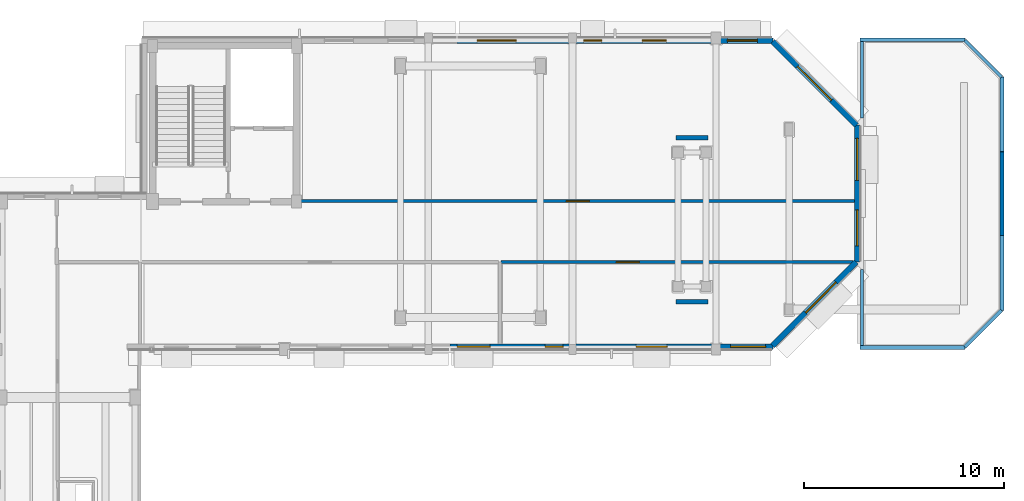
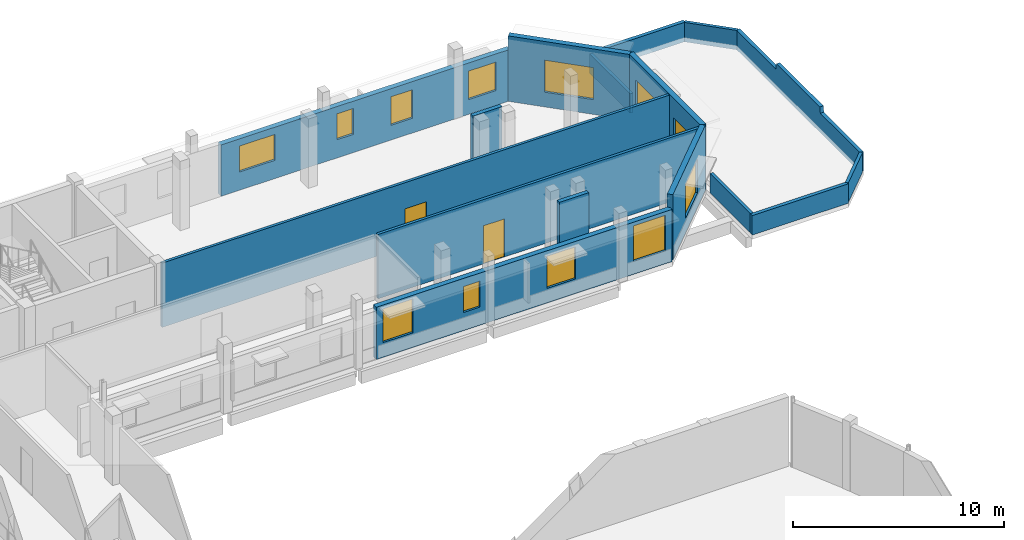
# One storey, part 87 of 105: 16 walls, 12 windows, 2 doors, 14 openings.
"""IFC4 building model written with IfcOpenShell, lengths in metres."""

from ifc_helpers import new_model, si_unit, direction, frame, frame_2d, origin, place, context, subcontext, project, spatial, polyline, rectangle, outline, extrude, material, layer, layer_set, type_object, element, fill, save


model = new_model("IFC4")

# Units and contexts
model_context = context("Model", 3, precision=1e-05, world=origin(), true_north=direction((0.0, 1.0)))
body_context = subcontext(model_context, "Body", "Model", "MODEL_VIEW")
ifc_project = project(units=[si_unit("LENGTHUNIT", "METRE"), si_unit("AREAUNIT", "SQUARE_METRE"), si_unit("VOLUMEUNIT", "CUBIC_METRE"), si_unit("PLANEANGLEUNIT", "RADIAN"), si_unit("MASSUNIT", "GRAM", prefix="KILO")], contexts=[model_context])

# Site, building, storey
site_placement = place(None, origin())
site = spatial("IfcSite", under=ifc_project, at=site_placement, CompositionType="ELEMENT")
building_placement = place(site_placement, origin())
building = spatial("IfcBuilding", under=site, at=building_placement, Name="Kelanivale Promenade Academy", CompositionType="ELEMENT")
storey_placement = place(building_placement, frame((0.0, 0.0, 4.199951171875)))
storey = spatial("IfcBuildingStorey", under=building, at=storey_placement, Name="L01", CompositionType="ELEMENT", Elevation=4.199951171875)

# Walls
ifc_material_1 = material(Name="Concrete C40/50", Category="concrete")
ifc_layer_1 = layer(ifc_material_1, 0.22509765625)
ifc_layer_set_1 = layer_set([ifc_layer_1], Name="Concrete C40/50")
wall_type_1 = type_object("IfcWallType", Name="CW-S2 Wall 225mm", PredefinedType="SHEAR", material=ifc_layer_set_1)
for number, where, z_axis, x_axis, name in (
    (1, (149.60009765625, 98.800048828125, 0.0), (0.0, 0.0, 1.0), (1.0, 0.0, 0.0), "Library stair ST-07 structural support wall L01"),
    (2, (149.60009765625, 107.0, 0.0), (0.0, 0.0, 1.0), (1.0, 0.0, 0.0), "Library stair ST-08 structural support wall L01"),
):
    element("IfcWall", number, at=place(storey_placement, frame(where, z_axis=z_axis, x_axis=x_axis)), inside=storey, type_object=wall_type_1, Name=name, PredefinedType="SHEAR", context=body_context, shape_type="SweptSolid", body=[
        extrude(rectangle(XDim=1.599853515625, YDim=0.22509765625, at=frame_2d((0.7998046875, 0.0))), origin(), (0.0, 0.0, 1.0), 3.719970703125),
    ])

# Wall, openings, windows
ifc_material_2 = material(Name="Insulated ivory stucco masonry wall 280 mm", Category="masonry")
ifc_layer_2 = layer(ifc_material_2, 0.280029296875)
ifc_layer_set_2 = layer_set([ifc_layer_2], Name="Insulated ivory stucco masonry wall 280 mm")
wall_type_2 = type_object("IfcWallType", Name="EW-02 Wall 280mm", PredefinedType="SOLIDWALL", material=ifc_layer_set_2)
wall_1_placement = place(storey_placement, frame((138.27587890625, 96.5400390625, 0.0), z_axis=(0.0, 0.0, 1.0), x_axis=(1.0, 0.0, 0.0)))
wall_1 = element("IfcWall", 3, at=wall_1_placement, inside=storey, type_object=wall_type_2, Name="L01 exterior facade wall EW-L01-ORT-0370", PredefinedType="SOLIDWALL", context=body_context, shape_type="SweptSolid", body=[
    extrude(rectangle(XDim=16.155029296875, YDim=0.280029296875, at=frame_2d((8.07763671875, 0.0))), origin(), (0.0, 0.0, 1.0), 3.01513671875),
])
opening_1_placement = place(wall_1_placement, frame((0.360107421875, 0.0, 0.85009765625)))
opening_1 = element("IfcOpeningElement", 4, at=opening_1_placement, cuts=wall_1, Name="Opening WT-16", PredefinedType="OPENING", context=body_context, shape_type="SweptSolid", body=[
    extrude(rectangle(XDim=1.64990234375, YDim=1.949951171875, at=frame_2d((0.824951171875, 0.97509765625))), frame((0.0, 0.14990234375, 0.0), z_axis=(0.0, -1.0, 0.0), x_axis=(1.0, 0.0, 0.0)), (0.0, 0.0, 1.0), 0.300048828125),
])
opening_2_placement = place(wall_1_placement, frame((4.758056640625, 0.0, 1.050048828125)))
opening_2 = element("IfcOpeningElement", 5, at=opening_2_placement, cuts=wall_1, Name="Opening WT-06", PredefinedType="OPENING", context=body_context, shape_type="SweptSolid", body=[
    extrude(rectangle(XDim=0.89990234375, YDim=1.5, at=frame_2d((0.449951171875, 0.75))), frame((0.0, 0.14990234375, 0.0), z_axis=(0.0, -1.0, 0.0), x_axis=(1.0, 0.0, 0.0)), (0.0, 0.0, 1.0), 0.300048828125),
])
opening_3_placement = place(wall_1_placement, frame((9.322021484375, 0.0, 0.85009765625)))
opening_3 = element("IfcOpeningElement", 6, at=opening_3_placement, cuts=wall_1, Name="Opening WT-31", PredefinedType="OPENING", context=body_context, shape_type="SweptSolid", body=[
    extrude(rectangle(XDim=1.550048828125, YDim=1.85009765625, at=frame_2d((0.77490234375, 0.925048828125))), frame((0.0, 0.14990234375, 0.0), z_axis=(0.0, -1.0, 0.0), x_axis=(1.0, 0.0, 0.0)), (0.0, 0.0, 1.0), 0.300048828125),
])
opening_4_placement = place(wall_1_placement, frame((14.044921875, 0.0, 0.75)))
opening_4 = element("IfcOpeningElement", 7, at=opening_4_placement, cuts=wall_1, Name="Opening WT-32", PredefinedType="OPENING", context=body_context, shape_type="SweptSolid", body=[
    extrude(rectangle(XDim=1.75, YDim=2.050048828125, at=frame_2d((0.875, 1.02490234375))), frame((0.0, 0.14990234375, 0.0), z_axis=(0.0, -1.0, 0.0), x_axis=(1.0, 0.0, 0.0)), (0.0, 0.0, 1.0), 0.300048828125),
])
ifc_material_3 = material(Name="Bronze anodised aluminium frame with low-E laminated glass", Category="aluminium")
window_type_1 = type_object("IfcWindowType", Name="WT-06 Window 900x1500", PartitioningType="SINGLE_PANEL", PredefinedType="WINDOW", material=ifc_material_3)
window_1_placement = place(opening_2_placement, origin())
window_1 = element("IfcWindow", 8, at=window_1_placement, inside=storey, type_object=window_type_1, Name="Window WT-06", OverallHeight=1.5, OverallWidth=0.89990234375, PartitioningType="SINGLE_PANEL", PredefinedType="WINDOW", context=body_context, shape_type="SweptSolid", body=[
    extrude(rectangle(XDim=0.89990234375, YDim=1.5, at=frame_2d((0.449951171875, 0.75))), frame((0.0, 0.030029296875, 0.0), z_axis=(0.0, -1.0, 0.0), x_axis=(1.0, 0.0, 0.0)), (0.0, 0.0, 1.0), 0.06005859375),
])
fill(opening_2, window_1)
window_type_2 = type_object("IfcWindowType", Name="WT-16 Window 1650x1950", PartitioningType="SINGLE_PANEL", PredefinedType="WINDOW", material=ifc_material_3)
window_2_placement = place(opening_1_placement, origin())
window_2 = element("IfcWindow", 9, at=window_2_placement, inside=storey, type_object=window_type_2, Name="Window WT-16", OverallHeight=1.949951171875, OverallWidth=1.64990234375, PartitioningType="SINGLE_PANEL", PredefinedType="WINDOW", context=body_context, shape_type="SweptSolid", body=[
    extrude(rectangle(XDim=1.64990234375, YDim=1.949951171875, at=frame_2d((0.824951171875, 0.97509765625))), frame((0.0, 0.030029296875, 0.0), z_axis=(0.0, -1.0, 0.0), x_axis=(1.0, 0.0, 0.0)), (0.0, 0.0, 1.0), 0.06005859375),
])
fill(opening_1, window_2)
window_type_3 = type_object("IfcWindowType", Name="WT-31 Window 1550x1850", PartitioningType="SINGLE_PANEL", PredefinedType="WINDOW", material=ifc_material_3)
window_3_placement = place(opening_3_placement, origin())
window_3 = element("IfcWindow", 10, at=window_3_placement, inside=storey, type_object=window_type_3, Name="Window WT-31", OverallHeight=1.85009765625, OverallWidth=1.550048828125, PartitioningType="SINGLE_PANEL", PredefinedType="WINDOW", context=body_context, shape_type="SweptSolid", body=[
    extrude(rectangle(XDim=1.550048828125, YDim=1.85009765625, at=frame_2d((0.77490234375, 0.925048828125))), frame((0.0, 0.030029296875, 0.0), z_axis=(0.0, -1.0, 0.0), x_axis=(1.0, 0.0, 0.0)), (0.0, 0.0, 1.0), 0.06005859375),
])
fill(opening_3, window_3)
window_type_4 = type_object("IfcWindowType", Name="WT-32 Window 1750x2050", PartitioningType="SINGLE_PANEL", PredefinedType="WINDOW", material=ifc_material_3)
window_4_placement = place(opening_4_placement, origin())
window_4 = element("IfcWindow", 11, at=window_4_placement, inside=storey, type_object=window_type_4, Name="Window WT-32", OverallHeight=2.050048828125, OverallWidth=1.75, PartitioningType="SINGLE_PANEL", PredefinedType="WINDOW", context=body_context, shape_type="SweptSolid", body=[
    extrude(rectangle(XDim=1.75, YDim=2.050048828125, at=frame_2d((0.875, 1.02490234375))), frame((0.0, 0.030029296875, 0.0), z_axis=(0.0, -1.0, 0.0), x_axis=(1.0, 0.0, 0.0)), (0.0, 0.0, 1.0), 0.06005859375),
])
fill(opening_4, window_4)

# Wall, opening, window
wall_2_placement = place(storey_placement, frame((154.4189453125, 96.583984375, 0.0), z_axis=(0.0, 0.0, 1.0), x_axis=(0.707106781187, 0.707106781187, 0.0)))
wall_2 = element("IfcWall", 12, at=wall_2_placement, inside=storey, type_object=wall_type_2, Name="L01 exterior facade wall EW-L01-ORT-0371", PredefinedType="SOLIDWALL", context=body_context, shape_type="SweptSolid", body=[
    extrude(rectangle(XDim=5.935546875, YDim=0.280029296875, at=frame_2d((2.9677734375, 0.0))), origin(), (0.0, 0.0, 1.0), 3.780029296875),
])
opening_5_placement = place(wall_2_placement, frame((2.343017578125, 0.0, 0.85009765625)))
opening_5 = element("IfcOpeningElement", 13, at=opening_5_placement, cuts=wall_2, Name="Opening WT-33", PredefinedType="OPENING", context=body_context, shape_type="SweptSolid", body=[
    extrude(rectangle(XDim=2.14990234375, YDim=1.949951171875, at=frame_2d((1.074951171875, 0.97509765625))), frame((0.0, 0.14990234375, 0.0), z_axis=(0.0, -1.0, 0.0), x_axis=(1.0, 0.0, 0.0)), (0.0, 0.0, 1.0), 0.300048828125),
])
window_type_5 = type_object("IfcWindowType", Name="WT-33 Window 2150x1950", PartitioningType="SINGLE_PANEL", PredefinedType="WINDOW", material=ifc_material_3)
window_5_placement = place(opening_5_placement, origin())
window_5 = element("IfcWindow", 14, at=window_5_placement, inside=storey, type_object=window_type_5, Name="Window WT-33", OverallHeight=1.949951171875, OverallWidth=2.14990234375, PartitioningType="SINGLE_PANEL", PredefinedType="WINDOW", context=body_context, shape_type="SweptSolid", body=[
    extrude(rectangle(XDim=2.14990234375, YDim=1.949951171875, at=frame_2d((1.074951171875, 0.97509765625))), frame((0.0, 0.030029296875, 0.0), z_axis=(0.0, -1.0, 0.0), x_axis=(1.0, 0.0, 0.0)), (0.0, 0.0, 1.0), 0.06005859375),
])
fill(opening_5, window_5)

# Wall, openings, windows
wall_3_placement = place(storey_placement, frame((158.659912109375, 100.76904296875, 0.0), z_axis=(0.0, 0.0, 1.0), x_axis=(0.0, 1.0, 0.0)))
wall_3 = element("IfcWall", 15, at=wall_3_placement, inside=storey, type_object=wall_type_2, Name="L01 exterior facade wall EW-L01-ORT-0372", PredefinedType="SOLIDWALL", context=body_context, shape_type="SweptSolid", body=[
    extrude(rectangle(XDim=6.862060546875, YDim=0.280029296875, at=frame_2d((3.43115234375, 0.0))), origin(), (0.0, 0.0, 1.0), 3.780029296875),
])
opening_6_placement = place(wall_3_placement, frame((0.81494140625, 0.0, 0.85009765625)))
opening_6 = element("IfcOpeningElement", 16, at=opening_6_placement, cuts=wall_3, Name="Opening WT-01", PredefinedType="OPENING", context=body_context, shape_type="SweptSolid", body=[
    extrude(rectangle(XDim=1.800048828125, YDim=1.800048828125, at=frame_2d((0.89990234375, 0.89990234375))), frame((0.0, 0.14990234375, 0.0), z_axis=(0.0, -1.0, 0.0), x_axis=(1.0, 0.0, 0.0)), (0.0, 0.0, 1.0), 0.300048828125),
])
opening_7_placement = place(wall_3_placement, frame((4.095947265625, 0.0, 0.85009765625)))
opening_7 = element("IfcOpeningElement", 17, at=opening_7_placement, cuts=wall_3, Name="Opening WT-02", PredefinedType="OPENING", context=body_context, shape_type="SweptSolid", body=[
    extrude(rectangle(XDim=2.10009765625, YDim=1.800048828125, at=frame_2d((1.050048828125, 0.89990234375))), frame((0.0, 0.14990234375, 0.0), z_axis=(0.0, -1.0, 0.0), x_axis=(1.0, 0.0, 0.0)), (0.0, 0.0, 1.0), 0.300048828125),
])
window_type_6 = type_object("IfcWindowType", Name="WT-01 Window 1800x1800", PartitioningType="SINGLE_PANEL", PredefinedType="WINDOW", material=ifc_material_3)
window_6_placement = place(opening_6_placement, origin())
window_6 = element("IfcWindow", 18, at=window_6_placement, inside=storey, type_object=window_type_6, Name="Window WT-01", OverallHeight=1.800048828125, OverallWidth=1.800048828125, PartitioningType="SINGLE_PANEL", PredefinedType="WINDOW", context=body_context, shape_type="SweptSolid", body=[
    extrude(rectangle(XDim=1.800048828125, YDim=1.800048828125, at=frame_2d((0.89990234375, 0.89990234375))), frame((0.0, 0.030029296875, 0.0), z_axis=(0.0, -1.0, 0.0), x_axis=(1.0, 0.0, 0.0)), (0.0, 0.0, 1.0), 0.06005859375),
])
fill(opening_6, window_6)
window_type_7 = type_object("IfcWindowType", Name="WT-02 Window 2100x1800", PartitioningType="SINGLE_PANEL", PredefinedType="WINDOW", material=ifc_material_3)
window_7_placement = place(opening_7_placement, origin())
window_7 = element("IfcWindow", 19, at=window_7_placement, inside=storey, type_object=window_type_7, Name="Window WT-02", OverallHeight=1.800048828125, OverallWidth=2.10009765625, PartitioningType="SINGLE_PANEL", PredefinedType="WINDOW", context=body_context, shape_type="SweptSolid", body=[
    extrude(rectangle(XDim=2.10009765625, YDim=1.800048828125, at=frame_2d((1.050048828125, 0.89990234375))), frame((0.0, 0.030029296875, 0.0), z_axis=(0.0, -1.0, 0.0), x_axis=(1.0, 0.0, 0.0)), (0.0, 0.0, 1.0), 0.06005859375),
])
fill(opening_7, window_7)

# Wall, opening, window
wall_4_placement = place(storey_placement, frame((158.615966796875, 107.618896484375, 0.0), z_axis=(0.0, 0.0, 1.0), x_axis=(-0.707106781187, 0.707106781187, 0.0)))
wall_4 = element("IfcWall", 20, at=wall_4_placement, inside=storey, type_object=wall_type_2, Name="L01 exterior facade wall EW-L01-ORT-0373", PredefinedType="SOLIDWALL", context=body_context, shape_type="SweptSolid", body=[
    extrude(rectangle(XDim=5.935546875, YDim=0.280029296875, at=frame_2d((2.9677734375, 0.0))), origin(), (0.0, 0.0, 1.0), 3.780029296875),
])
opening_8_placement = place(wall_4_placement, frame((1.76806640625, 0.0, 0.85009765625)))
opening_8 = element("IfcOpeningElement", 21, at=opening_8_placement, cuts=wall_4, Name="Opening WT-03", PredefinedType="OPENING", context=body_context, shape_type="SweptSolid", body=[
    extrude(rectangle(XDim=2.39990234375, YDim=1.85009765625, at=frame_2d((1.199951171875, 0.925048828125))), frame((0.0, 0.14990234375, 0.0), z_axis=(0.0, -1.0, 0.0), x_axis=(1.0, 0.0, 0.0)), (0.0, 0.0, 1.0), 0.300048828125),
])
window_type_8 = type_object("IfcWindowType", Name="WT-03 Window 2400x1850", PartitioningType="SINGLE_PANEL", PredefinedType="WINDOW", material=ifc_material_3)
window_8_placement = place(opening_8_placement, origin())
window_8 = element("IfcWindow", 22, at=window_8_placement, inside=storey, type_object=window_type_8, Name="Window WT-03", OverallHeight=1.85009765625, OverallWidth=2.39990234375, PartitioningType="SINGLE_PANEL", PredefinedType="WINDOW", context=body_context, shape_type="SweptSolid", body=[
    extrude(rectangle(XDim=2.39990234375, YDim=1.85009765625, at=frame_2d((1.199951171875, 0.925048828125))), frame((0.0, 0.030029296875, 0.0), z_axis=(0.0, -1.0, 0.0), x_axis=(1.0, 0.0, 0.0)), (0.0, 0.0, 1.0), 0.06005859375),
])
fill(opening_8, window_8)

# Wall, openings, windows
wall_5_placement = place(storey_placement, frame((154.430908203125, 111.860107421875, 0.0), z_axis=(0.0, 0.0, 1.0), x_axis=(-1.0, 0.0, 0.0)))
wall_5 = element("IfcWall", 23, at=wall_5_placement, inside=storey, type_object=wall_type_2, Name="L01 exterior facade wall EW-L01-ORT-0374", PredefinedType="SOLIDWALL", context=body_context, shape_type="SweptSolid", body=[
    extrude(rectangle(XDim=15.789794921875, YDim=0.280029296875, at=frame_2d((7.89501953125, 0.0))), origin(), (0.0, 0.0, 1.0), 2.965087890625),
])
opening_9_placement = place(wall_5_placement, frame((0.77392578125, 0.0, 0.85009765625)))
opening_9 = element("IfcOpeningElement", 24, at=opening_9_placement, cuts=wall_5, Name="Opening WT-04", PredefinedType="OPENING", context=body_context, shape_type="SweptSolid", body=[
    extrude(rectangle(XDim=1.5, YDim=1.64990234375, at=frame_2d((0.75, 0.824951171875))), frame((0.0, 0.14990234375, 0.0), z_axis=(0.0, -1.0, 0.0), x_axis=(1.0, 0.0, 0.0)), (0.0, 0.0, 1.0), 0.300048828125),
])
opening_10_placement = place(wall_5_placement, frame((5.321044921875, 0.0, 0.85009765625)))
opening_10 = element("IfcOpeningElement", 25, at=opening_10_placement, cuts=wall_5, Name="Opening WT-05", PredefinedType="OPENING", context=body_context, shape_type="SweptSolid", body=[
    extrude(rectangle(XDim=1.199951171875, YDim=1.64990234375, at=frame_2d((0.60009765625, 0.824951171875))), frame((0.0, 0.14990234375, 0.0), z_axis=(0.0, -1.0, 0.0), x_axis=(1.0, 0.0, 0.0)), (0.0, 0.0, 1.0), 0.300048828125),
])
opening_11_placement = place(wall_5_placement, frame((8.569091796875, 0.0, 1.050048828125)))
opening_11 = element("IfcOpeningElement", 26, at=opening_11_placement, cuts=wall_5, Name="Opening WT-06", PredefinedType="OPENING", context=body_context, shape_type="SweptSolid", body=[
    extrude(rectangle(XDim=0.89990234375, YDim=1.5, at=frame_2d((0.449951171875, 0.75))), frame((0.0, 0.14990234375, 0.0), z_axis=(0.0, -1.0, 0.0), x_axis=(1.0, 0.0, 0.0)), (0.0, 0.0, 1.0), 0.300048828125),
])
opening_12_placement = place(wall_5_placement, frame((12.841064453125, 0.0, 1.050048828125)))
opening_12 = element("IfcOpeningElement", 27, at=opening_12_placement, cuts=wall_5, Name="Opening WT-22", PredefinedType="OPENING", context=body_context, shape_type="SweptSolid", body=[
    extrude(rectangle(XDim=1.949951171875, YDim=1.5, at=frame_2d((0.97509765625, 0.75))), frame((0.0, 0.14990234375, 0.0), z_axis=(0.0, -1.0, 0.0), x_axis=(1.0, 0.0, 0.0)), (0.0, 0.0, 1.0), 0.300048828125),
])
window_type_9 = type_object("IfcWindowType", Name="WT-04 Window 1500x1650", PartitioningType="SINGLE_PANEL", PredefinedType="WINDOW", material=ifc_material_3)
window_9_placement = place(opening_9_placement, origin())
window_9 = element("IfcWindow", 28, at=window_9_placement, inside=storey, type_object=window_type_9, Name="Window WT-04", OverallHeight=1.64990234375, OverallWidth=1.5, PartitioningType="SINGLE_PANEL", PredefinedType="WINDOW", context=body_context, shape_type="SweptSolid", body=[
    extrude(rectangle(XDim=1.5, YDim=1.64990234375, at=frame_2d((0.75, 0.824951171875))), frame((0.0, 0.030029296875, 0.0), z_axis=(0.0, -1.0, 0.0), x_axis=(1.0, 0.0, 0.0)), (0.0, 0.0, 1.0), 0.06005859375),
])
fill(opening_9, window_9)
window_type_10 = type_object("IfcWindowType", Name="WT-05 Window 1200x1650", PartitioningType="SINGLE_PANEL", PredefinedType="WINDOW", material=ifc_material_3)
window_10_placement = place(opening_10_placement, origin())
window_10 = element("IfcWindow", 29, at=window_10_placement, inside=storey, type_object=window_type_10, Name="Window WT-05", OverallHeight=1.64990234375, OverallWidth=1.199951171875, PartitioningType="SINGLE_PANEL", PredefinedType="WINDOW", context=body_context, shape_type="SweptSolid", body=[
    extrude(rectangle(XDim=1.199951171875, YDim=1.64990234375, at=frame_2d((0.60009765625, 0.824951171875))), frame((0.0, 0.030029296875, 0.0), z_axis=(0.0, -1.0, 0.0), x_axis=(1.0, 0.0, 0.0)), (0.0, 0.0, 1.0), 0.06005859375),
])
fill(opening_10, window_10)
window_11_placement = place(opening_11_placement, origin())
window_11 = element("IfcWindow", 30, at=window_11_placement, inside=storey, type_object=window_type_1, Name="Window WT-06", OverallHeight=1.5, OverallWidth=0.89990234375, PartitioningType="SINGLE_PANEL", PredefinedType="WINDOW", context=body_context, shape_type="SweptSolid", body=[
    extrude(rectangle(XDim=0.89990234375, YDim=1.5, at=frame_2d((0.449951171875, 0.75))), frame((0.0, 0.030029296875, 0.0), z_axis=(0.0, -1.0, 0.0), x_axis=(1.0, 0.0, 0.0)), (0.0, 0.0, 1.0), 0.06005859375),
])
fill(opening_11, window_11)
window_type_11 = type_object("IfcWindowType", Name="WT-22 Window 1950x1500", PartitioningType="SINGLE_PANEL", PredefinedType="WINDOW", material=ifc_material_3)
window_12_placement = place(opening_12_placement, origin())
window_12 = element("IfcWindow", 31, at=window_12_placement, inside=storey, type_object=window_type_11, Name="Window WT-22", OverallHeight=1.5, OverallWidth=1.949951171875, PartitioningType="SINGLE_PANEL", PredefinedType="WINDOW", context=body_context, shape_type="SweptSolid", body=[
    extrude(rectangle(XDim=1.949951171875, YDim=1.5, at=frame_2d((0.97509765625, 0.75))), frame((0.0, 0.030029296875, 0.0), z_axis=(0.0, -1.0, 0.0), x_axis=(1.0, 0.0, 0.0)), (0.0, 0.0, 1.0), 0.06005859375),
])
fill(opening_12, window_12)

# Wall, opening, door
ifc_material_4 = material(Name="Acoustic gypsum-lined masonry partition 150 mm", Category="masonry")
ifc_layer_3 = layer(ifc_material_4, 0.14990234375)
ifc_layer_set_3 = layer_set([ifc_layer_3], Name="Acoustic gypsum-lined masonry partition 150 mm")
wall_type_3 = type_object("IfcWallType", Name="IW-03 Wall 150mm", PredefinedType="PARTITIONING", material=ifc_layer_set_3)
wall_6_placement = place(storey_placement, frame((158.4560546875, 100.77001953125, 0.0), z_axis=(0.0, 0.0, 1.0), x_axis=(-1.0, 0.0, 0.0)))
wall_6 = element("IfcWall", 32, at=wall_6_placement, inside=storey, type_object=wall_type_3, Name="L01 partition Chemistry Laboratory 2", PredefinedType="PARTITIONING", context=body_context, shape_type="SweptSolid", body=[
    extrude(rectangle(XDim=17.613037109375, YDim=0.14990234375, at=frame_2d((8.806640625, 0.0))), origin(), (0.0, 0.0, 1.0), 3.715087890625),
])
opening_13_placement = place(wall_6_placement, frame((10.700927734375, 0.0, 0.0)))
opening_13 = element("IfcOpeningElement", 33, at=opening_13_placement, cuts=wall_6, Name="Opening ID-L01-101", PredefinedType="OPENING", context=body_context, shape_type="SweptSolid", body=[
    extrude(rectangle(XDim=1.14990234375, YDim=2.199951171875, at=frame_2d((0.574951171875, 1.10009765625))), frame((0.0, 0.0849609375, 0.0), z_axis=(0.0, -1.0, 0.0), x_axis=(1.0, 0.0, 0.0)), (0.0, 0.0, 1.0), 0.169921875),
])
ifc_material_5 = material(Name="Fire-rated steel-core teak veneer", Category="steel")
door_type = type_object("IfcDoorType", Name="DT-F06 Door 1150x2200", OperationType="NOTDEFINED", PredefinedType="DOOR", material=ifc_material_5)
door_1_placement = place(opening_13_placement, origin())
door_1 = element("IfcDoor", 34, at=door_1_placement, inside=storey, type_object=door_type, Name="Chemistry Laboratory 2 door ID-L01-101", OperationType="SINGLE_SWING_LEFT", OverallHeight=2.199951171875, OverallWidth=1.14990234375, PredefinedType="DOOR", context=body_context, shape_type="SweptSolid", body=[
    extrude(rectangle(XDim=1.14990234375, YDim=2.199951171875, at=frame_2d((0.574951171875, 1.10009765625))), frame((0.0, 0.02490234375, 0.0), z_axis=(0.0, -1.0, 0.0), x_axis=(1.0, 0.0, 0.0)), (0.0, 0.0, 1.0), 0.050048828125),
])
fill(opening_13, door_1)

wall_7_placement = place(storey_placement, frame((130.830078125, 103.830078125, 0.0), z_axis=(0.0, 0.0, 1.0), x_axis=(1.0, 0.0, 0.0)))
wall_7 = element("IfcWall", 35, at=wall_7_placement, inside=storey, type_object=wall_type_3, Name="L01 partition Biology Laboratory 1", PredefinedType="PARTITIONING", context=body_context, shape_type="SweptSolid", body=[
    extrude(rectangle(XDim=27.69189453125, YDim=0.14990234375, at=frame_2d((13.845947265625, 0.0))), origin(), (0.0, 0.0, 1.0), 3.715087890625),
])
opening_14_placement = place(wall_7_placement, frame((13.27099609375, 0.0, 0.0)))
opening_14 = element("IfcOpeningElement", 36, at=opening_14_placement, cuts=wall_7, Name="Opening ID-L01-102", PredefinedType="OPENING", context=body_context, shape_type="SweptSolid", body=[
    extrude(rectangle(XDim=1.14990234375, YDim=2.199951171875, at=frame_2d((0.574951171875, 1.10009765625))), frame((0.0, 0.0849609375, 0.0), z_axis=(0.0, -1.0, 0.0), x_axis=(1.0, 0.0, 0.0)), (0.0, 0.0, 1.0), 0.169921875),
])
door_2_placement = place(opening_14_placement, origin())
door_2 = element("IfcDoor", 37, at=door_2_placement, inside=storey, type_object=door_type, Name="Biology Laboratory 1 door ID-L01-102", OperationType="SINGLE_SWING_RIGHT", OverallHeight=2.199951171875, OverallWidth=1.14990234375, PredefinedType="DOOR", context=body_context, shape_type="SweptSolid", body=[
    extrude(rectangle(XDim=1.14990234375, YDim=2.199951171875, at=frame_2d((0.574951171875, 1.10009765625))), frame((0.0, 0.02490234375, 0.0), z_axis=(0.0, -1.0, 0.0), x_axis=(1.0, 0.0, 0.0)), (0.0, 0.0, 1.0), 0.050048828125),
])
fill(opening_14, door_2)

# Walls
ifc_material_6 = material(Name="Precast concrete C40/50", Category="concrete")
ifc_layer_4 = layer(ifc_material_6, 0.195068359375)
ifc_layer_set_4 = layer_set([ifc_layer_4], Name="Precast concrete C40/50")
wall_type_4 = type_object("IfcWallType", Name="PW-01 Wall 195mm", PredefinedType="PARAPET", material=ifc_layer_set_4)
wall_8_placement = place(storey_placement, frame((165.902099609375, 98.35595703125, 0.0), z_axis=(0.0, 0.0, 1.0), x_axis=(0.0, 1.0, 0.0)))
element("IfcWall", 38, at=wall_8_placement, inside=storey, type_object=wall_type_4, Name="L01 stepped Art Deco roof parapet", PredefinedType="PARAPET", context=body_context, shape_type="SweptSolid", body=[
    extrude(outline(polyline([(0.0, 0.0), (11.68798828125, 0.0), (11.68798828125, 1.1201171875), (7.947998046875, 1.1201171875), (7.89794921875, 1.4599609375), (3.7900390625, 1.4599609375), (3.739990234375, 1.1201171875), (0.0, 1.1201171875), (0.0, 0.0)])), frame((0.0, 0.09765625, 0.0), z_axis=(0.0, -1.0, 0.0), x_axis=(1.0, 0.0, 0.0)), (0.0, 0.0, 1.0), 0.195068359375),
])
for number, where, z_axis, x_axis, name in (
    (39, (164.0439453125, 111.902099609375, 0.0), (0.0, 0.0, 1.0), (-1.0, 0.0, 0.0), "L01 stepped Art Deco roof parapet"),
    (40, (158.800048828125, 96.498046875, 0.0), (0.0, 0.0, 1.0), (1.0, 0.0, 0.0), "L01 stepped Art Deco roof parapet"),
):
    element("IfcWall", number, at=place(storey_placement, frame(where, z_axis=z_axis, x_axis=x_axis)), inside=storey, type_object=wall_type_4, Name=name, PredefinedType="PARAPET", context=body_context, shape_type="SweptSolid", body=[
        extrude(rectangle(XDim=5.243896484375, YDim=0.195068359375, at=frame_2d((2.6220703125, 0.0))), origin(), (0.0, 0.0, 1.0), 1.1201171875),
    ])
ifc_layer_5 = layer(ifc_material_6, 0.1650390625)
ifc_layer_set_5 = layer_set([ifc_layer_5], Name="Precast concrete C40/50")
wall_type_5 = type_object("IfcWallType", Name="PW-02 Wall 165mm", PredefinedType="PARAPET", material=ifc_layer_set_5)
for number, where, z_axis, x_axis, name in (
    (41, (164.033935546875, 96.527099609375, 0.0), (0.0, 0.0, 1.0), (0.707153716687, 0.707059842571, 0.0), "L01 stepped Art Deco roof parapet"),
    (42, (165.873046875, 110.033935546875, 0.0), (0.0, 0.0, 1.0), (-0.707106781187, 0.707106781187, 0.0), "L01 stepped Art Deco roof parapet"),
):
    element("IfcWall", number, at=place(storey_placement, frame(where, z_axis=z_axis, x_axis=x_axis)), inside=storey, type_object=wall_type_5, Name=name, PredefinedType="PARAPET", context=body_context, shape_type="SweptSolid", body=[
        extrude(rectangle(XDim=2.600830078125, YDim=0.1650390625, at=frame_2d((1.30029296875, 0.0))), origin(), (0.0, 0.0, 1.0), 1.1201171875),
    ])
wall_9_placement = place(storey_placement, frame((158.89794921875, 111.804931640625, 0.0), z_axis=(0.0, 0.0, 1.0), x_axis=(0.0, -1.0, 0.0)))
element("IfcWall", 43, at=wall_9_placement, inside=storey, type_object=wall_type_5, Name="L01 stepped Art Deco roof parapet", PredefinedType="PARAPET", context=body_context, shape_type="SweptSolid", body=[
    extrude(rectangle(XDim=3.81689453125, YDim=0.1650390625, at=frame_2d((1.908447265625, 0.0))), origin(), (0.0, 0.0, 1.0), 1.1201171875),
])
wall_10_placement = place(storey_placement, frame((158.89794921875, 100.412109375, 0.0), z_axis=(0.0, 0.0, 1.0), x_axis=(0.0, -1.0, 0.0)))
element("IfcWall", 44, at=wall_10_placement, inside=storey, type_object=wall_type_5, Name="L01 stepped Art Deco roof parapet", PredefinedType="PARAPET", context=body_context, shape_type="SweptSolid", body=[
    extrude(rectangle(XDim=3.816162109375, YDim=0.1650390625, at=frame_2d((1.908203125, 0.0))), origin(), (0.0, 0.0, 1.0), 1.1201171875),
])

save(model, "model.ifc")
